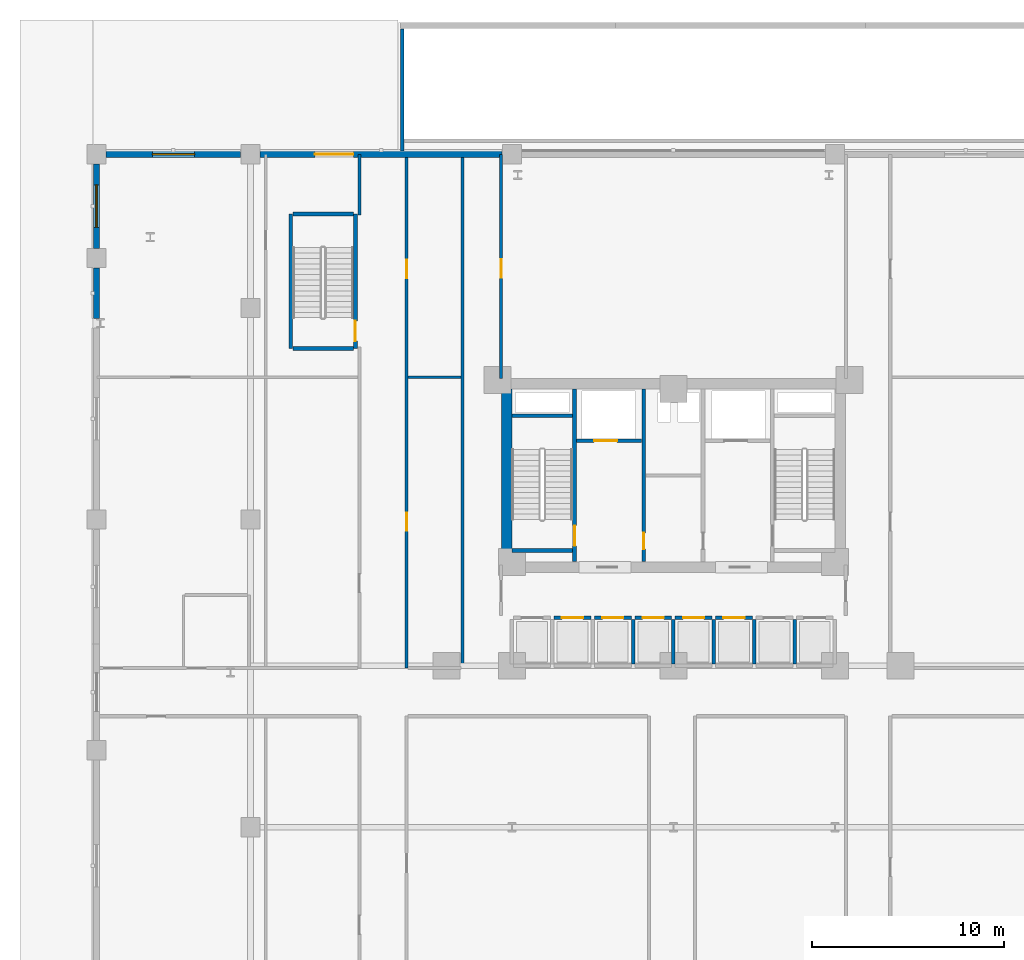
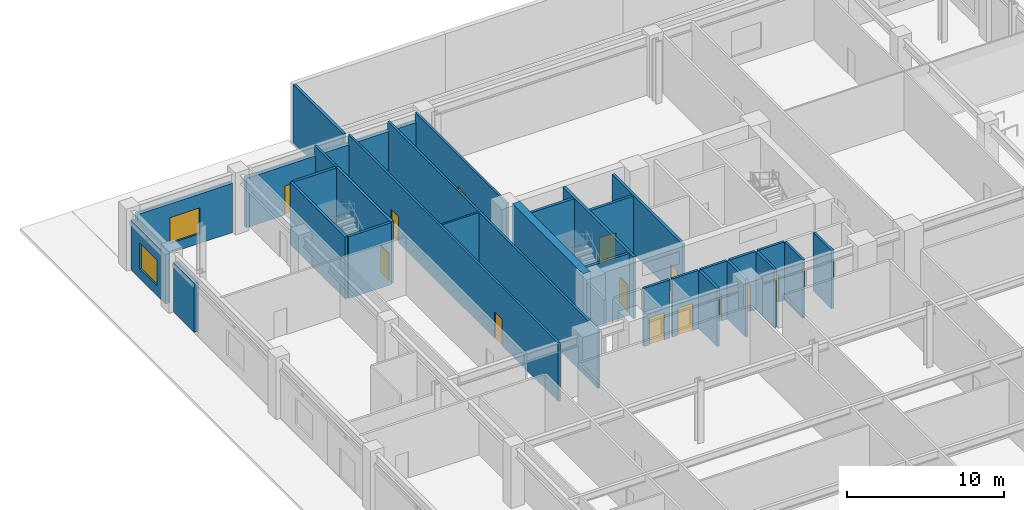
# One storey, part 25 of 40: 30 walls, 13 doors, 2 windows, 15 openings.
"""IFC4 building model written with IfcOpenShell, lengths in metres."""

import ifcopenshell
import ifcopenshell.guid

model = None  # the IFC model being written
_history = None  # IfcOwnerHistory: only IFC2X3 demands one
_inside = {}  # id of a spatial element -> (the spatial element, [elements in it])
_under = {}  # id of a project, library or spatial element -> (it, [spatial elements below it])
_declared = {}  # id of a project -> (the project, [libraries it declares])
_typed = {}  # id of a type object -> (the type object, [elements of that type])
_made_of = {}  # id of a material, layer set ... -> (it, [elements and type objects made of it])


def new_model(schema):
    """Start an empty IFC model of exactly this schema.

    Asked for "IFC4X3", IfcOpenShell would pick the latest addendum, in which some entities
    have other attributes; the version numbers below select the first issue.
    IFC2X3 requires an IfcOwnerHistory on every rooted entity: one is made here for all.
    """
    global model, _history
    if schema == "IFC4X3":
        model = ifcopenshell.file(schema_version=(4, 3, 0, 0))
    else:
        model = ifcopenshell.file(schema=schema)
    _inside.clear()
    _under.clear()
    _declared.clear()
    _typed.clear()
    _made_of.clear()
    _history = None
    if model.schema == "IFC2X3":
        org = make("IfcOrganization", Name="unknown")
        user = make(
            "IfcPersonAndOrganization",
            ThePerson=make("IfcPerson", FamilyName="unknown"),
            TheOrganization=org,
        )
        app = make(
            "IfcApplication",
            ApplicationDeveloper=org,
            Version="unknown",
            ApplicationFullName="unknown",
            ApplicationIdentifier="unknown",
        )
        _history = make(
            "IfcOwnerHistory",
            OwningUser=user,
            OwningApplication=app,
            ChangeAction="ADDED",
            CreationDate=0,
        )
    return model


def make(cls, **values):
    """One entity of the class cls with the attributes given. An attribute that is None is left unset."""
    return model.create_entity(
        cls, **{name: value for name, value in values.items() if value is not None}
    )


def rooted(cls, **values):
    """An entity with a GlobalId (a new one), such as an element, a storey or a relation."""
    return make(cls, GlobalId=ifcopenshell.guid.new(), OwnerHistory=_history, **values)


def si_unit(unit_type, name, prefix=None):
    """IfcSIUnit, for example si_unit("LENGTHUNIT", "METRE", prefix="MILLI")."""
    return make("IfcSIUnit", UnitType=unit_type, Prefix=prefix, Name=name)


def derived_unit(unit_type, elements):
    """IfcDerivedUnit: a product of units, each with its exponent."""
    return make(
        "IfcDerivedUnit",
        Elements=[
            make("IfcDerivedUnitElement", Unit=unit, Exponent=power)
            for unit, power in elements
        ],
        UnitType=unit_type,
    )


def assignment(units):
    """IfcUnitAssignment: the units of a project."""
    return None if units is None else make("IfcUnitAssignment", Units=units)


def point(xyz):
    """IfcCartesianPoint."""
    return None if xyz is None else make("IfcCartesianPoint", Coordinates=xyz)


def direction(xyz):
    """IfcDirection."""
    return None if xyz is None else make("IfcDirection", DirectionRatios=xyz)


def frame(location, z_axis=None, x_axis=None):
    """IfcAxis2Placement3D, a coordinate frame: its origin and axes. An axis left out is left unset."""
    return make(
        "IfcAxis2Placement3D",
        Location=point(location),
        Axis=direction(z_axis),
        RefDirection=direction(x_axis),
    )


def frame_2d(location, x_axis=None):
    """IfcAxis2Placement2D, a coordinate frame in the plane: its origin and x axis."""
    return make(
        "IfcAxis2Placement2D", Location=point(location), RefDirection=direction(x_axis)
    )


def origin():
    """The frame at (0, 0, 0) with its axes left unset."""
    return frame((0.0, 0.0, 0.0))


def place(relative_to, where):
    """IfcLocalPlacement: puts the frame where relative to a parent placement (None: the world)."""
    return make(
        "IfcLocalPlacement", PlacementRelTo=relative_to, RelativePlacement=where
    )


def context(
    kind, dimensions, precision=None, world=None, true_north=None, identifier=None
):
    """IfcGeometricRepresentationContext, for example the 3D "Model" context."""
    return make(
        "IfcGeometricRepresentationContext",
        ContextIdentifier=identifier,
        ContextType=kind,
        CoordinateSpaceDimension=dimensions,
        Precision=precision,
        WorldCoordinateSystem=world,
        TrueNorth=true_north,
    )


def subcontext(parent, identifier, kind, view, scale=None):
    """IfcGeometricRepresentationSubContext, for example "Body" below "Model"."""
    return make(
        "IfcGeometricRepresentationSubContext",
        ContextIdentifier=identifier,
        ContextType=kind,
        ParentContext=parent,
        TargetScale=scale,
        TargetView=view,
    )


def project(units=None, contexts=None):
    """IfcProject with its units and contexts."""
    return rooted(
        "IfcProject",
        Name="project",
        RepresentationContexts=contexts,
        UnitsInContext=assignment(units),
    )


def spatial(cls, under=None, at=None, **own):
    """A site, building, storey or space (cls), placed at a placement, below another one or the project."""
    s = rooted(cls, ObjectPlacement=at, **own)
    if under is not None:
        _under.setdefault(under.id(), (under, []))[1].append(s)
    return s


def profile(cls, at=None, kind="AREA", **sizes):
    """A parametric profile (cls). Its sizes go by their IFC names, for example OverallWidth=200.0."""
    return make(cls, ProfileType=kind, Position=at, **sizes)


def rectangle(**sizes):
    """IfcRectangleProfileDef."""
    return profile("IfcRectangleProfileDef", **sizes)


def extrude(swept, where, along, depth):
    """IfcExtrudedAreaSolid: the profile swept, set in the frame where, extruded along a direction by depth."""
    return make(
        "IfcExtrudedAreaSolid",
        SweptArea=swept,
        Position=where,
        ExtrudedDirection=direction(along),
        Depth=depth,
    )


def shape(context_of_items, identifier, shape_type, items):
    """IfcShapeRepresentation: the items that make up one representation, for example the "Body"."""
    return make(
        "IfcShapeRepresentation",
        ContextOfItems=context_of_items,
        RepresentationIdentifier=identifier,
        RepresentationType=shape_type,
        Items=items,
    )


def material(Name=None, Category=None):
    """IfcMaterial."""
    return make("IfcMaterial", Name=Name, Category=Category)


def layer(
    of_material, thickness, ventilated=None, Name=None, Category=None, Priority=None
):
    """IfcMaterialLayer: one layer of a wall or slab, of a material (None: an air gap)."""
    return make(
        "IfcMaterialLayer",
        Material=of_material,
        LayerThickness=thickness,
        IsVentilated=ventilated,
        Name=Name,
        Category=Category,
        Priority=Priority,
    )


def layer_set(layers, Name=None):
    """IfcMaterialLayerSet."""
    return make("IfcMaterialLayerSet", MaterialLayers=layers, LayerSetName=Name)


def made_of(thing, what):
    """Note that an element or type object is made of a material, layer set ...; save() writes the relation."""
    if what is not None:
        _made_of.setdefault(what.id(), (what, []))[1].append(thing)
    return thing


def type_object(cls, material=None, **own):
    """A type object (cls), such as IfcWallType, which elements share."""
    return made_of(rooted(cls, **own), material)


def element(
    cls,
    number,
    at=None,
    inside=None,
    cuts=None,
    type_object=None,
    material=None,
    context=None,
    identifier="Body",
    shape_type=None,
    held_by="IfcProductDefinitionShape",
    body=None,
    shapes=None,
    **own,
):
    """One element of the class cls, such as IfcWall. Its Tag is "e" and its number.

    at: its placement. inside: the storey or other place that contains it. cuts: it is an
    opening in that element (IfcRelVoidsElement). A single representation is given by context,
    identifier, shape_type and body (its items); several are given by shapes. held_by: the class
    of the entity that holds the representations. save() writes the other relations.
    """
    e = rooted(cls, Tag="e%d" % number, ObjectPlacement=at, **own)
    if body is not None:
        shapes = [shape(context, identifier, shape_type, body)]
    if shapes is not None:
        e.Representation = make(held_by, Representations=shapes)
    if inside is not None:
        _inside.setdefault(inside.id(), (inside, []))[1].append(e)
    if cuts is not None:
        rooted(
            "IfcRelVoidsElement", RelatingBuildingElement=cuts, RelatedOpeningElement=e
        )
    if type_object is not None:
        _typed.setdefault(type_object.id(), (type_object, []))[1].append(e)
    return made_of(e, material)


def fill(opening, filler):
    """IfcRelFillsElement: the door or window that sits in an opening."""
    return rooted(
        "IfcRelFillsElement",
        RelatingOpeningElement=opening,
        RelatedBuildingElement=filler,
    )


def aggregate(whole, parts):
    """IfcRelAggregates: a whole, such as a stair, and the parts it consists of."""
    return rooted("IfcRelAggregates", RelatingObject=whole, RelatedObjects=parts)


def save(model, path):
    """Write the relations noted so far, then the file.

    IfcRelAggregates (storeys below a building ...), IfcRelContainedInSpatialStructure (elements
    in a storey), IfcRelDefinesByType, IfcRelAssociatesMaterial and IfcRelDeclares: one each for
    every whole, place, type object, material and project.
    """
    for whole, parts in _under.values():
        aggregate(whole, parts)
    for where, things in _inside.values():
        rooted(
            "IfcRelContainedInSpatialStructure",
            RelatedElements=things,
            RelatingStructure=where,
        )
    for kind, things in _typed.values():
        rooted("IfcRelDefinesByType", RelatedObjects=things, RelatingType=kind)
    for what, things in _made_of.values():
        rooted("IfcRelAssociatesMaterial", RelatedObjects=things, RelatingMaterial=what)
    for by, libraries in _declared.values():
        rooted("IfcRelDeclares", RelatingContext=by, RelatedDefinitions=libraries)
    model.write(path)


model = new_model("IFC4")

# Units and contexts
model_context = context("Model", 3, precision=1e-05, world=origin(), true_north=direction((0.0, 1.0)))
body_context = subcontext(model_context, "Body", "Model", "MODEL_VIEW")
ifc_project = project(units=[si_unit("LENGTHUNIT", "METRE"), si_unit("AREAUNIT", "SQUARE_METRE"), si_unit("VOLUMEUNIT", "CUBIC_METRE"), si_unit("PLANEANGLEUNIT", "RADIAN"), si_unit("MASSUNIT", "GRAM", prefix="KILO"), derived_unit("THERMALTRANSMITTANCEUNIT", [(si_unit("POWERUNIT", "WATT"), 1), (si_unit("LENGTHUNIT", "METRE"), -2), (si_unit("THERMODYNAMICTEMPERATUREUNIT", "KELVIN"), -1)])], contexts=[model_context])

# Site, building, storey
site_placement = place(None, origin())
site = spatial("IfcSite", under=ifc_project, at=site_placement, CompositionType="ELEMENT")
building_placement = place(site_placement, origin())
building = spatial("IfcBuilding", under=site, at=building_placement, Name="Korsvarv Bourse and Concert Hall", CompositionType="ELEMENT")
storey_placement = place(building_placement, origin())
storey = spatial("IfcBuildingStorey", under=building, at=storey_placement, Name="L00", CompositionType="ELEMENT", Elevation=0.0)

# Wall, opening, door
ifc_material_1 = material(Name="Concrete C50/60", Category="concrete")
ifc_layer_1 = layer(ifc_material_1, 0.3798828125)
ifc_layer_set_1 = layer_set([ifc_layer_1], Name="Concrete C50/60")
wall_type_1 = type_object("IfcWallType", Name="WL-CORE-380", PredefinedType="SHEAR", material=ifc_layer_set_1)
wall_1_placement = place(storey_placement, frame((30.860107421875, 37.81005859375, 0.0), z_axis=(0.0, 0.0, 1.0), x_axis=(0.0, 1.0, 0.0)))
wall_1 = element("IfcWall", 1, at=wall_1_placement, inside=storey, type_object=wall_type_1, Name="L00 stair shaft structural wall W-L00-ST1-E", PredefinedType="SHEAR", context=body_context, shape_type="SweptSolid", body=[
    extrude(rectangle(XDim=8.97998046875, YDim=0.199951171875, at=frame_2d((4.489990234375, 0.0))), origin(), (0.0, 0.0, 1.0), 4.800048828125),
])
opening_1_placement = place(wall_1_placement, frame((0.820068359375, 0.0, 0.0)))
opening_1 = element("IfcOpeningElement", 2, at=opening_1_placement, cuts=wall_1, Name="Opening D-01", PredefinedType="OPENING", context=body_context, shape_type="SweptSolid", body=[
    extrude(rectangle(XDim=1.050048828125, YDim=2.10009765625, at=frame_2d((0.52490234375, 1.050048828125))), frame((0.0, 0.10986328125, 0.0), z_axis=(0.0, -1.0, 0.0), x_axis=(1.0, 0.0, 0.0)), (0.0, 0.0, 1.0), 0.219970703125),
])
ifc_material_2 = material(Name="Steel S355 fire door", Category="steel")
door_type_1 = type_object("IfcDoorType", Name="DR-FD60", OperationType="NOTDEFINED", PredefinedType="DOOR", material=ifc_material_2)
door_1_placement = place(opening_1_placement, origin())
door_1 = element("IfcDoor", 3, at=door_1_placement, inside=storey, type_object=door_type_1, Name="L00 interior door DR-L00-ST1", OperationType="SINGLE_SWING_LEFT", OverallHeight=2.10009765625, OverallWidth=1.050048828125, PredefinedType="DOOR", context=body_context, shape_type="SweptSolid", body=[
    extrude(rectangle(XDim=1.050048828125, YDim=2.10009765625, at=frame_2d((0.52490234375, 1.050048828125))), frame((0.0, 0.02490234375, 0.0), z_axis=(0.0, -1.0, 0.0), x_axis=(1.0, 0.0, 0.0)), (0.0, 0.0, 1.0), 0.050048828125),
])
fill(opening_1, door_1)

# Walls
for number, where, z_axis, x_axis, name in (
    (4, (27.610107421875, 45.39990234375, 0.0), (0.0, 0.0, 1.0), (1.0, 0.0, 0.0), "L00 stair shaft structural wall W-L00-ST1-N"),
    (5, (27.610107421875, 38.39990234375, 0.0), (0.0, 0.0, 1.0), (1.0, 0.0, 0.0), "L00 stair shaft structural wall W-L00-ST1-S"),
):
    element("IfcWall", number, at=place(storey_placement, frame(where, z_axis=z_axis, x_axis=x_axis)), inside=storey, type_object=wall_type_1, Name=name, PredefinedType="SHEAR", context=body_context, shape_type="SweptSolid", body=[
        extrude(rectangle(XDim=3.139892578125, YDim=0.199951171875, at=frame_2d((1.56982421875, 0.0))), origin(), (0.0, 0.0, 1.0), 4.800048828125),
    ])

# Wall, opening, door
wall_2_placement = place(storey_placement, frame((19.4599609375, 48.89990234375, 0.0), z_axis=(0.0, 0.0, 1.0), x_axis=(0.0, 1.0, 0.0)))
wall_2 = element("IfcWall", 6, at=wall_2_placement, inside=storey, type_object=wall_type_1, Name="L00 stair shaft structural wall W-L00-STPD-E", PredefinedType="SHEAR", context=body_context, shape_type="SweptSolid", body=[
    extrude(rectangle(XDim=7.0, YDim=0.199951171875, at=frame_2d((3.5, 0.0))), origin(), (0.0, 0.0, 1.0), 4.800048828125),
])
opening_2_placement = place(wall_2_placement, frame((0.3798828125, 0.0, 0.0)))
opening_2 = element("IfcOpeningElement", 7, at=opening_2_placement, cuts=wall_2, Name="Opening D-01", PredefinedType="OPENING", context=body_context, shape_type="SweptSolid", body=[
    extrude(rectangle(XDim=1.050048828125, YDim=2.10009765625, at=frame_2d((0.52490234375, 1.050048828125))), frame((0.0, 0.10986328125, 0.0), z_axis=(0.0, -1.0, 0.0), x_axis=(1.0, 0.0, 0.0)), (0.0, 0.0, 1.0), 0.219970703125),
])
door_2_placement = place(opening_2_placement, origin())
door_2 = element("IfcDoor", 8, at=door_2_placement, inside=storey, type_object=door_type_1, Name="L00 interior door DR-L00-STPD1", OperationType="SINGLE_SWING_RIGHT", OverallHeight=2.10009765625, OverallWidth=1.050048828125, PredefinedType="DOOR", context=body_context, shape_type="SweptSolid", body=[
    extrude(rectangle(XDim=1.050048828125, YDim=2.10009765625, at=frame_2d((0.52490234375, 1.050048828125))), frame((0.0, 0.02490234375, 0.0), z_axis=(0.0, -1.0, 0.0), x_axis=(1.0, 0.0, 0.0)), (0.0, 0.0, 1.0), 0.050048828125),
])
fill(opening_2, door_2)

# Walls
wall_3_placement = place(storey_placement, frame((16.10009765625, 48.89990234375, 0.0), z_axis=(0.0, 0.0, 1.0), x_axis=(0.0, 1.0, 0.0)))
element("IfcWall", 9, at=wall_3_placement, inside=storey, type_object=wall_type_1, Name="L00 stair shaft structural wall W-L00-STPD-W", PredefinedType="SHEAR", context=body_context, shape_type="SweptSolid", body=[
    extrude(rectangle(XDim=7.0, YDim=0.199951171875, at=frame_2d((3.5, 0.0))), origin(), (0.0, 0.0, 1.0), 4.800048828125),
])
for number, where, z_axis, x_axis, name in (
    (10, (16.2099609375, 55.89990234375, 0.0), (0.0, 0.0, 1.0), (1.0, 0.0, 0.0), "L00 stair shaft structural wall W-L00-STPD-N"),
    (11, (16.2099609375, 48.89990234375, 0.0), (0.0, 0.0, 1.0), (1.0, 0.0, 0.0), "L00 stair shaft structural wall W-L00-STPD-S"),
):
    element("IfcWall", number, at=place(storey_placement, frame(where, z_axis=z_axis, x_axis=x_axis)), inside=storey, type_object=wall_type_1, Name=name, PredefinedType="SHEAR", context=body_context, shape_type="SweptSolid", body=[
        extrude(rectangle(XDim=3.14013671875, YDim=0.199951171875, at=frame_2d((1.570068359375, 0.0))), origin(), (0.0, 0.0, 1.0), 4.800048828125),
    ])
ifc_material_3 = material(Name="Concrete C60/75", Category="concrete")
ifc_layer_2 = layer(ifc_material_3, 0.550048828125)
ifc_layer_set_2 = layer_set([ifc_layer_2], Name="Concrete C60/75")
wall_type_2 = type_object("IfcWallType", Name="WL-CORE-550", PredefinedType="SHEAR", material=ifc_layer_set_2)
wall_4_placement = place(storey_placement, frame((27.324951171875, 37.800048828125, 0.0), z_axis=(0.0, 0.0, 1.0), x_axis=(0.0, 1.0, 0.0)))
element("IfcWall", 12, at=wall_4_placement, inside=storey, type_object=wall_type_2, Name="L00 West Core Shear Wall", PredefinedType="SHEAR", context=body_context, shape_type="SweptSolid", body=[
    extrude(rectangle(XDim=9.0, YDim=0.550048828125, at=frame_2d((4.5, 0.0))), origin(), (0.0, 0.0, 1.0), 4.800048828125),
])

# Wall, opening, window
ifc_material_4 = material(Name="Precast concrete C45/55 with granite and terracotta", Category="concrete")
ifc_layer_3 = layer(ifc_material_4, 0.320068359375)
ifc_layer_set_3 = layer_set([ifc_layer_3], Name="Precast concrete C45/55 with granite and terracotta")
wall_type_3 = type_object("IfcWallType", Name="WL-EXT-POD", PredefinedType="SOLIDWALL", material=ifc_layer_set_3)
wall_5_placement = place(storey_placement, frame((6.5048828125, 59.0, 0.0), z_axis=(0.0, 0.0, 1.0), x_axis=(1.0, 0.0, 0.0)))
wall_5 = element("IfcWall", 13, at=wall_5_placement, inside=storey, type_object=wall_type_3, Name="L00 terracotta exterior wall EW-L00-N1", PredefinedType="SOLIDWALL", context=body_context, shape_type="SweptSolid", body=[
    extrude(rectangle(XDim=6.990234375, YDim=0.320068359375, at=frame_2d((3.4951171875, 0.0))), origin(), (0.0, 0.0, 1.0), 3.820068359375),
])
opening_3_placement = place(wall_5_placement, frame((2.39501953125, 0.0, 0.75)))
opening_3 = element("IfcOpeningElement", 14, at=opening_3_placement, cuts=wall_5, Name="Opening W-03", PredefinedType="OPENING", context=body_context, shape_type="SweptSolid", body=[
    extrude(rectangle(XDim=2.199951171875, YDim=2.0, at=frame_2d((1.10009765625, 1.0))), frame((0.0, 0.169921875, 0.0), z_axis=(0.0, -1.0, 0.0), x_axis=(1.0, 0.0, 0.0)), (0.0, 0.0, 1.0), 0.340087890625),
])
ifc_material_5 = material(Name="Thermally broken aluminium frame with triple low-E glass", Category="glass")
window_type = type_object("IfcWindowType", Name="WIN-POD1", PartitioningType="SINGLE_PANEL", PredefinedType="WINDOW", material=ifc_material_5)
window_1_placement = place(opening_3_placement, origin())
window_1 = element("IfcWindow", 15, at=window_1_placement, inside=storey, type_object=window_type, Name="L00 punched facade window W-03", OverallHeight=2.0, OverallWidth=2.199951171875, PartitioningType="SINGLE_PANEL", PredefinedType="WINDOW", context=body_context, shape_type="SweptSolid", body=[
    extrude(rectangle(XDim=2.199951171875, YDim=2.0, at=frame_2d((1.10009765625, 1.0))), frame((0.0, 0.030029296875, 0.0), z_axis=(0.0, -1.0, 0.0), x_axis=(1.0, 0.0, 0.0)), (0.0, 0.0, 1.0), 0.06005859375),
])
fill(opening_3, window_1)

# Wall, opening, door
wall_6_placement = place(storey_placement, frame((14.5048828125, 59.0, 0.0), z_axis=(0.0, 0.0, 1.0), x_axis=(1.0, 0.0, 0.0)))
wall_6 = element("IfcWall", 16, at=wall_6_placement, inside=storey, type_object=wall_type_3, Name="L00 terracotta exterior wall EW-L00-N2", PredefinedType="SOLIDWALL", context=body_context, shape_type="SweptSolid", body=[
    extrude(rectangle(XDim=12.590087890625, YDim=0.320068359375, at=frame_2d((6.294921875, 0.0))), origin(), (0.0, 0.0, 1.0), 3.820068359375),
])
opening_4_placement = place(wall_6_placement, frame((2.847412109375, 0.0, 0.0)))
opening_4 = element("IfcOpeningElement", 17, at=opening_4_placement, cuts=wall_6, Name="Opening ED-01", PredefinedType="OPENING", context=body_context, shape_type="SweptSolid", body=[
    extrude(rectangle(XDim=2.0, YDim=2.25, at=frame_2d((1.0, 1.125))), frame((0.0, 0.169921875, 0.0), z_axis=(0.0, -1.0, 0.0), x_axis=(1.0, 0.0, 0.0)), (0.0, 0.0, 1.0), 0.340087890625),
])
ifc_material_6 = material(Name="Thermally broken anodised aluminium and laminated safety glass", Category="aluminium")
door_type_2 = type_object("IfcDoorType", Name="DR-EXT-EXIT", OperationType="DOUBLE_DOOR_SINGLE_SWING", PredefinedType="DOOR", material=ifc_material_6)
door_3_placement = place(opening_4_placement, origin())
door_3 = element("IfcDoor", 18, at=door_3_placement, inside=storey, type_object=door_type_2, Name="L00 North Concourse Final Exit Door N1", OperationType="DOUBLE_DOOR_SINGLE_SWING", OverallHeight=2.25, OverallWidth=2.0, PredefinedType="DOOR", context=body_context, shape_type="SweptSolid", body=[
    extrude(rectangle(XDim=2.0, YDim=2.25, at=frame_2d((1.0, 1.125))), frame((0.0, 0.02490234375, 0.0), z_axis=(0.0, -1.0, 0.0), x_axis=(1.0, 0.0, 0.0)), (0.0, 0.0, 1.0), 0.050048828125),
])
fill(opening_4, door_3)

# Wall
wall_7_placement = place(storey_placement, frame((6.0, 50.459228515625, 0.0), z_axis=(0.0, 0.0, 1.0), x_axis=(0.0, 1.0, 0.0)))
element("IfcWall", 19, at=wall_7_placement, inside=storey, type_object=wall_type_3, Name="L00 terracotta exterior wall EW-L00-W5-2", PredefinedType="SOLIDWALL", context=body_context, shape_type="SweptSolid", body=[
    extrude(rectangle(XDim=2.6357421875, YDim=0.320068359375, at=frame_2d((1.31787109375, 0.0))), origin(), (0.0, 0.0, 1.0), 3.820068359375),
])

# Wall, opening, window
wall_8_placement = place(storey_placement, frame((6.0, 54.10498046875, 0.0), z_axis=(0.0, 0.0, 1.0), x_axis=(0.0, 1.0, 0.0)))
wall_8 = element("IfcWall", 20, at=wall_8_placement, inside=storey, type_object=wall_type_3, Name="L00 terracotta exterior wall EW-L00-W6", PredefinedType="SOLIDWALL", context=body_context, shape_type="SweptSolid", body=[
    extrude(rectangle(XDim=4.39013671875, YDim=0.320068359375, at=frame_2d((2.195068359375, 0.0))), origin(), (0.0, 0.0, 1.0), 3.820068359375),
])
opening_5_placement = place(wall_8_placement, frame((1.094970703125, 0.0, 0.75)))
opening_5 = element("IfcOpeningElement", 21, at=opening_5_placement, cuts=wall_8, Name="Opening W-03", PredefinedType="OPENING", context=body_context, shape_type="SweptSolid", body=[
    extrude(rectangle(XDim=2.199951171875, YDim=2.0, at=frame_2d((1.10009765625, 1.0))), frame((0.0, 0.169921875, 0.0), z_axis=(0.0, -1.0, 0.0), x_axis=(1.0, 0.0, 0.0)), (0.0, 0.0, 1.0), 0.340087890625),
])
window_2_placement = place(opening_5_placement, origin())
window_2 = element("IfcWindow", 22, at=window_2_placement, inside=storey, type_object=window_type, Name="L00 punched facade window W-03", OverallHeight=2.0, OverallWidth=2.199951171875, PartitioningType="SINGLE_PANEL", PredefinedType="WINDOW", context=body_context, shape_type="SweptSolid", body=[
    extrude(rectangle(XDim=2.199951171875, YDim=2.0, at=frame_2d((1.10009765625, 1.0))), frame((0.0, 0.030029296875, 0.0), z_axis=(0.0, -1.0, 0.0), x_axis=(1.0, 0.0, 0.0)), (0.0, 0.0, 1.0), 0.06005859375),
])
fill(opening_5, window_2)

# Wall, opening, door
ifc_material_7 = material(Name="Reinforced concrete blockwork C35/45 fire wall", Category="concrete")
ifc_layer_4 = layer(ifc_material_7, 0.199951171875)
ifc_layer_set_4 = layer_set([ifc_layer_4], Name="Reinforced concrete blockwork C35/45 fire wall")
wall_type_4 = type_object("IfcWallType", Name="WL-INT-EI120", PredefinedType="PARTITIONING", material=ifc_layer_set_4)
wall_9_placement = place(storey_placement, frame((30.969970703125, 44.10009765625, 0.0), z_axis=(0.0, 0.0, 1.0), x_axis=(1.0, 0.0, 0.0)))
wall_9 = element("IfcWall", 23, at=wall_9_placement, inside=storey, type_object=wall_type_4, Name="L00 interior partition wall W-L00-FF1-S", PredefinedType="PARTITIONING", context=body_context, shape_type="SweptSolid", body=[
    extrude(rectangle(XDim=3.380126953125, YDim=0.199951171875, at=frame_2d((1.68994140625, 0.0))), origin(), (0.0, 0.0, 1.0), 4.52001953125),
])
opening_6_placement = place(wall_9_placement, frame((0.89990234375, 0.0, 0.0)))
opening_6 = element("IfcOpeningElement", 24, at=opening_6_placement, cuts=wall_9, Name="Opening LD-1", PredefinedType="OPENING", context=body_context, shape_type="SweptSolid", body=[
    extrude(rectangle(XDim=1.199951171875, YDim=2.10009765625, at=frame_2d((0.60009765625, 1.050048828125))), frame((0.0, 0.10986328125, 0.0), z_axis=(0.0, -1.0, 0.0), x_axis=(1.0, 0.0, 0.0)), (0.0, 0.0, 1.0), 0.219970703125),
])
ifc_material_8 = material(Name="Stainless Steel S355 firefighting lift landing door", Category="steel")
door_type_3 = type_object("IfcDoorType", Name="DR-LIFT-FF", OperationType="DOUBLE_DOOR_SLIDING", PredefinedType="DOOR", material=ifc_material_8)
door_4_placement = place(opening_6_placement, origin())
door_4 = element("IfcDoor", 25, at=door_4_placement, inside=storey, type_object=door_type_3, Name="L00 lift sliding landing door LD-L00-FF1", OperationType="DOUBLE_DOOR_SLIDING", OverallHeight=2.10009765625, OverallWidth=1.199951171875, PredefinedType="DOOR", context=body_context, shape_type="SweptSolid", body=[
    extrude(rectangle(XDim=1.199951171875, YDim=2.10009765625, at=frame_2d((0.60009765625, 1.050048828125))), frame((0.0, 0.02490234375, 0.0), z_axis=(0.0, -1.0, 0.0), x_axis=(1.0, 0.0, 0.0)), (0.0, 0.0, 1.0), 0.050048828125),
])
fill(opening_6, door_4)

wall_10_placement = place(storey_placement, frame((34.4599609375, 37.81005859375, 0.0), z_axis=(0.0, 0.0, 1.0), x_axis=(0.0, 1.0, 0.0)))
wall_10 = element("IfcWall", 26, at=wall_10_placement, inside=storey, type_object=wall_type_4, Name="L00 interior partition wall W-L00-CSB-W", PredefinedType="PARTITIONING", context=body_context, shape_type="SweptSolid", body=[
    extrude(rectangle(XDim=8.97998046875, YDim=0.199951171875, at=frame_2d((4.489990234375, 0.0))), origin(), (0.0, 0.0, 1.0), 4.52001953125),
])
opening_7_placement = place(wall_10_placement, frame((0.64990234375, 0.0, 0.0)))
opening_7 = element("IfcOpeningElement", 27, at=opening_7_placement, cuts=wall_10, Name="Opening D-05", PredefinedType="OPENING", context=body_context, shape_type="SweptSolid", body=[
    extrude(rectangle(XDim=0.85009765625, YDim=2.050048828125, at=frame_2d((0.425048828125, 1.02490234375))), frame((0.0, 0.10986328125, 0.0), z_axis=(0.0, -1.0, 0.0), x_axis=(1.0, 0.0, 0.0)), (0.0, 0.0, 1.0), 0.219970703125),
])
door_type_4 = type_object("IfcDoorType", Name="DR-FD60-850X2050", OperationType="NOTDEFINED", PredefinedType="DOOR", material=ifc_material_2)
door_5_placement = place(opening_7_placement, frame((0.85009765625, 0.0, 0.0), z_axis=(0.0, 0.0, 1.0), x_axis=(-1.0, 0.0, 0.0)))
door_5 = element("IfcDoor", 28, at=door_5_placement, inside=storey, type_object=door_type_4, Name="L00 interior door DR-L00-CSB1", OperationType="SINGLE_SWING_LEFT", OverallHeight=2.050048828125, OverallWidth=0.85009765625, PredefinedType="DOOR", context=body_context, shape_type="SweptSolid", body=[
    extrude(rectangle(XDim=0.85009765625, YDim=2.050048828125, at=frame_2d((0.425048828125, 1.02490234375))), frame((0.0, 0.02490234375, 0.0), z_axis=(0.0, -1.0, 0.0), x_axis=(1.0, 0.0, 0.0)), (0.0, 0.0, 1.0), 0.050048828125),
])
fill(opening_7, door_5)

# Wall
wall_11_placement = place(storey_placement, frame((21.89990234375, 59.179931640625, 0.0), z_axis=(0.0, 0.0, 1.0), x_axis=(0.0, 1.0, 0.0)))
element("IfcWall", 29, at=wall_11_placement, inside=storey, type_object=wall_type_4, Name="L00 interior partition wall W-L00-RMP-W", PredefinedType="PARTITIONING", context=body_context, shape_type="SweptSolid", body=[
    extrude(rectangle(XDim=6.340087890625, YDim=0.199951171875, at=frame_2d((3.169921875, 0.0))), origin(), (0.0, 0.0, 1.0), 4.52001953125),
])

# Wall, openings, doors
ifc_material_9 = material(Name="Double-stud fire-rated acoustic partition", Category="gypsum")
ifc_layer_5 = layer(ifc_material_9, 0.159912109375)
ifc_layer_set_5 = layer_set([ifc_layer_5], Name="Double-stud fire-rated acoustic partition")
wall_type_5 = type_object("IfcWallType", Name="WL-INT-EI60", PredefinedType="PARTITIONING", material=ifc_layer_set_5)
wall_12_placement = place(storey_placement, frame((22.125, 32.27001953125, 0.0), z_axis=(0.0, 0.0, 1.0), x_axis=(0.0, 1.0, 0.0)))
wall_12 = element("IfcWall", 30, at=wall_12_placement, inside=storey, type_object=wall_type_5, Name="L00 interior partition wall W-L00-PCOR-08", PredefinedType="PARTITIONING", context=body_context, shape_type="SweptSolid", body=[
    extrude(rectangle(XDim=26.7099609375, YDim=0.159912109375, at=frame_2d((13.35498046875, 0.0))), origin(), (0.0, 0.0, 1.0), 4.52001953125),
])
opening_8_placement = place(wall_12_placement, frame((7.14501953125, 0.0, 0.0)))
opening_8 = element("IfcOpeningElement", 31, at=opening_8_placement, cuts=wall_12, Name="Opening D-02", PredefinedType="OPENING", context=body_context, shape_type="SweptSolid", body=[
    extrude(rectangle(XDim=0.949951171875, YDim=2.050048828125, at=frame_2d((0.47509765625, 1.02490234375))), frame((0.0, 0.08984375, 0.0), z_axis=(0.0, -1.0, 0.0), x_axis=(1.0, 0.0, 0.0)), (0.0, 0.0, 1.0), 0.179931640625),
])
opening_9_placement = place(wall_12_placement, frame((20.28271484375, 0.0, 0.0)))
opening_9 = element("IfcOpeningElement", 32, at=opening_9_placement, cuts=wall_12, Name="Opening D-02", PredefinedType="OPENING", context=body_context, shape_type="SweptSolid", body=[
    extrude(rectangle(XDim=0.949951171875, YDim=2.050048828125, at=frame_2d((0.47509765625, 1.02490234375))), frame((0.0, 0.08984375, 0.0), z_axis=(0.0, -1.0, 0.0), x_axis=(1.0, 0.0, 0.0)), (0.0, 0.0, 1.0), 0.179931640625),
])
ifc_material_10 = material(Name="Timber and steel acoustic fire door", Category="wood")
door_type_5 = type_object("IfcDoorType", Name="DR-FD30", OperationType="NOTDEFINED", PredefinedType="DOOR", material=ifc_material_10)
door_6_placement = place(opening_8_placement, origin())
door_6 = element("IfcDoor", 33, at=door_6_placement, inside=storey, type_object=door_type_5, Name="L00 interior door DR-L00-PCOR-RM1414", OperationType="SINGLE_SWING_LEFT", OverallHeight=2.050048828125, OverallWidth=0.949951171875, PredefinedType="DOOR", context=body_context, shape_type="SweptSolid", body=[
    extrude(rectangle(XDim=0.949951171875, YDim=2.050048828125, at=frame_2d((0.47509765625, 1.02490234375))), frame((0.0, 0.02490234375, 0.0), z_axis=(0.0, -1.0, 0.0), x_axis=(1.0, 0.0, 0.0)), (0.0, 0.0, 1.0), 0.050048828125),
])
fill(opening_8, door_6)
door_7_placement = place(opening_9_placement, origin())
door_7 = element("IfcDoor", 34, at=door_7_placement, inside=storey, type_object=door_type_5, Name="L00 interior door DR-L00-PCOR-RM1515", OperationType="SINGLE_SWING_RIGHT", OverallHeight=2.050048828125, OverallWidth=0.949951171875, PredefinedType="DOOR", context=body_context, shape_type="SweptSolid", body=[
    extrude(rectangle(XDim=0.949951171875, YDim=2.050048828125, at=frame_2d((0.47509765625, 1.02490234375))), frame((0.0, 0.02490234375, 0.0), z_axis=(0.0, -1.0, 0.0), x_axis=(1.0, 0.0, 0.0)), (0.0, 0.0, 1.0), 0.050048828125),
])
fill(opening_9, door_7)

# Wall
wall_13_placement = place(storey_placement, frame((25.02490234375, 32.27001953125, 0.0), z_axis=(0.0, 0.0, 1.0), x_axis=(0.0, 1.0, 0.0)))
element("IfcWall", 35, at=wall_13_placement, inside=storey, type_object=wall_type_5, Name="L00 interior partition wall W-L00-PCOR-09", PredefinedType="PARTITIONING", context=body_context, shape_type="SweptSolid", body=[
    extrude(rectangle(XDim=26.7099609375, YDim=0.159912109375, at=frame_2d((13.35498046875, 0.0))), origin(), (0.0, 0.0, 1.0), 4.52001953125),
])

# Wall, opening, door
wall_14_placement = place(storey_placement, frame((27.034912109375, 47.340087890625, 0.0), z_axis=(0.0, 0.0, 1.0), x_axis=(0.0, 1.0, 0.0)))
wall_14 = element("IfcWall", 36, at=wall_14_placement, inside=storey, type_object=wall_type_5, Name="L00 interior partition wall W-L00-PCOR-16", PredefinedType="PARTITIONING", context=body_context, shape_type="SweptSolid", body=[
    extrude(rectangle(XDim=11.639892578125, YDim=0.159912109375, at=frame_2d((5.81982421875, 0.0))), origin(), (0.0, 0.0, 1.0), 4.52001953125),
])
opening_10_placement = place(wall_14_placement, frame((5.238037109375, 0.0, 0.0)))
opening_10 = element("IfcOpeningElement", 37, at=opening_10_placement, cuts=wall_14, Name="Opening D-02", PredefinedType="OPENING", context=body_context, shape_type="SweptSolid", body=[
    extrude(rectangle(XDim=0.949951171875, YDim=2.050048828125, at=frame_2d((0.47509765625, 1.02490234375))), frame((0.0, 0.08984375, 0.0), z_axis=(0.0, -1.0, 0.0), x_axis=(1.0, 0.0, 0.0)), (0.0, 0.0, 1.0), 0.179931640625),
])
door_8_placement = place(opening_10_placement, origin())
door_8 = element("IfcDoor", 38, at=door_8_placement, inside=storey, type_object=door_type_5, Name="L00 interior door DR-L00-PCOR-NLOB11", OperationType="SINGLE_SWING_LEFT", OverallHeight=2.050048828125, OverallWidth=0.949951171875, PredefinedType="DOOR", context=body_context, shape_type="SweptSolid", body=[
    extrude(rectangle(XDim=0.949951171875, YDim=2.050048828125, at=frame_2d((0.47509765625, 1.02490234375))), frame((0.0, 0.02490234375, 0.0), z_axis=(0.0, -1.0, 0.0), x_axis=(1.0, 0.0, 0.0)), (0.0, 0.0, 1.0), 0.050048828125),
])
fill(opening_10, door_8)

# Wall
wall_15_placement = place(storey_placement, frame((19.6650390625, 55.840087890625, 0.0), z_axis=(0.0, 0.0, 1.0), x_axis=(0.0, 1.0, 0.0)))
element("IfcWall", 39, at=wall_15_placement, inside=storey, type_object=wall_type_5, Name="L00 interior partition wall W-L00-PCOR-19", PredefinedType="PARTITIONING", context=body_context, shape_type="SweptSolid", body=[
    extrude(rectangle(XDim=3.139892578125, YDim=0.159912109375, at=frame_2d((1.56982421875, 0.0))), origin(), (0.0, 0.0, 1.0), 4.52001953125),
])

# Wall, opening, door
ifc_material_11 = material(Name="Gypsum-clad autoclaved concrete shaft wall C30/37", Category="concrete")
ifc_layer_6 = layer(ifc_material_11, 0.179931640625)
ifc_layer_set_6 = layer_set([ifc_layer_6], Name="Gypsum-clad autoclaved concrete shaft wall C30/37")
wall_type_6 = type_object("IfcWallType", Name="WL-INT-EI90", PredefinedType="PARTITIONING", material=ifc_layer_set_6)
wall_16_placement = place(storey_placement, frame((29.7900390625, 34.89990234375, 0.0), z_axis=(0.0, 0.0, 1.0), x_axis=(1.0, 0.0, 0.0)))
wall_16 = element("IfcWall", 40, at=wall_16_placement, inside=storey, type_object=wall_type_6, Name="L00 interior partition wall W-L00-SHFN-PL2", PredefinedType="PARTITIONING", context=body_context, shape_type="SweptSolid", body=[
    extrude(rectangle(XDim=1.919921875, YDim=0.179931640625, at=frame_2d((0.9599609375, 0.0))), origin(), (0.0, 0.0, 1.0), 4.52001953125),
])
opening_11_placement = place(wall_16_placement, frame((0.409912109375, 0.0, 0.0)))
opening_11 = element("IfcOpeningElement", 41, at=opening_11_placement, cuts=wall_16, Name="Opening LD-2", PredefinedType="OPENING", context=body_context, shape_type="SweptSolid", body=[
    extrude(rectangle(XDim=1.10009765625, YDim=2.10009765625, at=frame_2d((0.550048828125, 1.050048828125))), frame((0.0, 0.10009765625, 0.0), z_axis=(0.0, -1.0, 0.0), x_axis=(1.0, 0.0, 0.0)), (0.0, 0.0, 1.0), 0.199951171875),
])
ifc_material_12 = material(Name="Brushed stainless Steel S355 lift landing door", Category="steel")
door_type_6 = type_object("IfcDoorType", Name="DR-LIFT-P", OperationType="DOUBLE_DOOR_SLIDING", PredefinedType="DOOR", material=ifc_material_12)
door_9_placement = place(opening_11_placement, origin())
door_9 = element("IfcDoor", 42, at=door_9_placement, inside=storey, type_object=door_type_6, Name="L00 lift sliding landing door LD-L00-PL2", OperationType="DOUBLE_DOOR_SLIDING", OverallHeight=2.10009765625, OverallWidth=1.10009765625, PredefinedType="DOOR", context=body_context, shape_type="SweptSolid", body=[
    extrude(rectangle(XDim=1.10009765625, YDim=2.10009765625, at=frame_2d((0.550048828125, 1.050048828125))), frame((0.0, 0.02490234375, 0.0), z_axis=(0.0, -1.0, 0.0), x_axis=(1.0, 0.0, 0.0)), (0.0, 0.0, 1.0), 0.050048828125),
])
fill(opening_11, door_9)

wall_17_placement = place(storey_placement, frame((31.889892578125, 34.89990234375, 0.0), z_axis=(0.0, 0.0, 1.0), x_axis=(1.0, 0.0, 0.0)))
wall_17 = element("IfcWall", 43, at=wall_17_placement, inside=storey, type_object=wall_type_6, Name="L00 interior partition wall W-L00-SHFN-PM1", PredefinedType="PARTITIONING", context=body_context, shape_type="SweptSolid", body=[
    extrude(rectangle(XDim=1.920166015625, YDim=0.179931640625, at=frame_2d((0.9599609375, 0.0))), origin(), (0.0, 0.0, 1.0), 4.52001953125),
])
opening_12_placement = place(wall_17_placement, frame((0.409912109375, 0.0, 0.0)))
opening_12 = element("IfcOpeningElement", 44, at=opening_12_placement, cuts=wall_17, Name="Opening LD-2", PredefinedType="OPENING", context=body_context, shape_type="SweptSolid", body=[
    extrude(rectangle(XDim=1.10009765625, YDim=2.10009765625, at=frame_2d((0.550048828125, 1.050048828125))), frame((0.0, 0.10009765625, 0.0), z_axis=(0.0, -1.0, 0.0), x_axis=(1.0, 0.0, 0.0)), (0.0, 0.0, 1.0), 0.199951171875),
])
door_10_placement = place(opening_12_placement, origin())
door_10 = element("IfcDoor", 45, at=door_10_placement, inside=storey, type_object=door_type_6, Name="L00 lift sliding landing door LD-L00-PM1", OperationType="DOUBLE_DOOR_SLIDING", OverallHeight=2.10009765625, OverallWidth=1.10009765625, PredefinedType="DOOR", context=body_context, shape_type="SweptSolid", body=[
    extrude(rectangle(XDim=1.10009765625, YDim=2.10009765625, at=frame_2d((0.550048828125, 1.050048828125))), frame((0.0, 0.02490234375, 0.0), z_axis=(0.0, -1.0, 0.0), x_axis=(1.0, 0.0, 0.0)), (0.0, 0.0, 1.0), 0.050048828125),
])
fill(opening_12, door_10)

wall_18_placement = place(storey_placement, frame((33.989990234375, 34.89990234375, 0.0), z_axis=(0.0, 0.0, 1.0), x_axis=(1.0, 0.0, 0.0)))
wall_18 = element("IfcWall", 46, at=wall_18_placement, inside=storey, type_object=wall_type_6, Name="L00 interior partition wall W-L00-SHFN-PM2", PredefinedType="PARTITIONING", context=body_context, shape_type="SweptSolid", body=[
    extrude(rectangle(XDim=1.919921875, YDim=0.179931640625, at=frame_2d((0.9599609375, 0.0))), origin(), (0.0, 0.0, 1.0), 4.52001953125),
])
opening_13_placement = place(wall_18_placement, frame((0.409912109375, 0.0, 0.0)))
opening_13 = element("IfcOpeningElement", 47, at=opening_13_placement, cuts=wall_18, Name="Opening LD-2", PredefinedType="OPENING", context=body_context, shape_type="SweptSolid", body=[
    extrude(rectangle(XDim=1.10009765625, YDim=2.10009765625, at=frame_2d((0.550048828125, 1.050048828125))), frame((0.0, 0.10009765625, 0.0), z_axis=(0.0, -1.0, 0.0), x_axis=(1.0, 0.0, 0.0)), (0.0, 0.0, 1.0), 0.199951171875),
])
door_11_placement = place(opening_13_placement, origin())
door_11 = element("IfcDoor", 48, at=door_11_placement, inside=storey, type_object=door_type_6, Name="L00 lift sliding landing door LD-L00-PM2", OperationType="DOUBLE_DOOR_SLIDING", OverallHeight=2.10009765625, OverallWidth=1.10009765625, PredefinedType="DOOR", context=body_context, shape_type="SweptSolid", body=[
    extrude(rectangle(XDim=1.10009765625, YDim=2.10009765625, at=frame_2d((0.550048828125, 1.050048828125))), frame((0.0, 0.02490234375, 0.0), z_axis=(0.0, -1.0, 0.0), x_axis=(1.0, 0.0, 0.0)), (0.0, 0.0, 1.0), 0.050048828125),
])
fill(opening_13, door_11)

# Wall
wall_19_placement = place(storey_placement, frame((33.89990234375, 32.489990234375, 0.0), z_axis=(0.0, 0.0, 1.0), x_axis=(0.0, 1.0, 0.0)))
element("IfcWall", 49, at=wall_19_placement, inside=storey, type_object=wall_type_6, Name="L00 interior partition wall W-L00-SHFW-PM2", PredefinedType="PARTITIONING", context=body_context, shape_type="SweptSolid", body=[
    extrude(rectangle(XDim=2.320068359375, YDim=0.179931640625, at=frame_2d((1.16015625, 0.0))), origin(), (0.0, 0.0, 1.0), 4.52001953125),
])

# Wall, opening, door
wall_20_placement = place(storey_placement, frame((36.090087890625, 34.89990234375, 0.0), z_axis=(0.0, 0.0, 1.0), x_axis=(1.0, 0.0, 0.0)))
wall_20 = element("IfcWall", 50, at=wall_20_placement, inside=storey, type_object=wall_type_6, Name="L00 interior partition wall W-L00-SHFN-PH1", PredefinedType="PARTITIONING", context=body_context, shape_type="SweptSolid", body=[
    extrude(rectangle(XDim=1.919921875, YDim=0.179931640625, at=frame_2d((0.9599609375, 0.0))), origin(), (0.0, 0.0, 1.0), 4.52001953125),
])
opening_14_placement = place(wall_20_placement, frame((0.409912109375, 0.0, 0.0)))
opening_14 = element("IfcOpeningElement", 51, at=opening_14_placement, cuts=wall_20, Name="Opening LD-2", PredefinedType="OPENING", context=body_context, shape_type="SweptSolid", body=[
    extrude(rectangle(XDim=1.10009765625, YDim=2.10009765625, at=frame_2d((0.550048828125, 1.050048828125))), frame((0.0, 0.10009765625, 0.0), z_axis=(0.0, -1.0, 0.0), x_axis=(1.0, 0.0, 0.0)), (0.0, 0.0, 1.0), 0.199951171875),
])
door_12_placement = place(opening_14_placement, origin())
door_12 = element("IfcDoor", 52, at=door_12_placement, inside=storey, type_object=door_type_6, Name="L00 lift sliding landing door LD-L00-PH1", OperationType="DOUBLE_DOOR_SLIDING", OverallHeight=2.10009765625, OverallWidth=1.10009765625, PredefinedType="DOOR", context=body_context, shape_type="SweptSolid", body=[
    extrude(rectangle(XDim=1.10009765625, YDim=2.10009765625, at=frame_2d((0.550048828125, 1.050048828125))), frame((0.0, 0.02490234375, 0.0), z_axis=(0.0, -1.0, 0.0), x_axis=(1.0, 0.0, 0.0)), (0.0, 0.0, 1.0), 0.050048828125),
])
fill(opening_14, door_12)

# Wall
wall_21_placement = place(storey_placement, frame((36.0, 32.489990234375, 0.0), z_axis=(0.0, 0.0, 1.0), x_axis=(0.0, 1.0, 0.0)))
element("IfcWall", 53, at=wall_21_placement, inside=storey, type_object=wall_type_6, Name="L00 interior partition wall W-L00-SHFW-PH1", PredefinedType="PARTITIONING", context=body_context, shape_type="SweptSolid", body=[
    extrude(rectangle(XDim=2.320068359375, YDim=0.179931640625, at=frame_2d((1.16015625, 0.0))), origin(), (0.0, 0.0, 1.0), 4.52001953125),
])

# Wall, opening, door
wall_22_placement = place(storey_placement, frame((38.18994140625, 34.89990234375, 0.0), z_axis=(0.0, 0.0, 1.0), x_axis=(1.0, 0.0, 0.0)))
wall_22 = element("IfcWall", 54, at=wall_22_placement, inside=storey, type_object=wall_type_6, Name="L00 interior partition wall W-L00-SHFN-PH2", PredefinedType="PARTITIONING", context=body_context, shape_type="SweptSolid", body=[
    extrude(rectangle(XDim=1.920166015625, YDim=0.179931640625, at=frame_2d((0.9599609375, 0.0))), origin(), (0.0, 0.0, 1.0), 4.52001953125),
])
opening_15_placement = place(wall_22_placement, frame((0.409912109375, 0.0, 0.0)))
opening_15 = element("IfcOpeningElement", 55, at=opening_15_placement, cuts=wall_22, Name="Opening LD-2", PredefinedType="OPENING", context=body_context, shape_type="SweptSolid", body=[
    extrude(rectangle(XDim=1.10009765625, YDim=2.10009765625, at=frame_2d((0.550048828125, 1.050048828125))), frame((0.0, 0.10009765625, 0.0), z_axis=(0.0, -1.0, 0.0), x_axis=(1.0, 0.0, 0.0)), (0.0, 0.0, 1.0), 0.199951171875),
])
door_13_placement = place(opening_15_placement, origin())
door_13 = element("IfcDoor", 56, at=door_13_placement, inside=storey, type_object=door_type_6, Name="L00 lift sliding landing door LD-L00-PH2", OperationType="DOUBLE_DOOR_SLIDING", OverallHeight=2.10009765625, OverallWidth=1.10009765625, PredefinedType="DOOR", context=body_context, shape_type="SweptSolid", body=[
    extrude(rectangle(XDim=1.10009765625, YDim=2.10009765625, at=frame_2d((0.550048828125, 1.050048828125))), frame((0.0, 0.02490234375, 0.0), z_axis=(0.0, -1.0, 0.0), x_axis=(1.0, 0.0, 0.0)), (0.0, 0.0, 1.0), 0.050048828125),
])
fill(opening_15, door_13)

# Walls
for number, where, z_axis, x_axis, name in (
    (57, (38.10009765625, 32.489990234375, 0.0), (0.0, 0.0, 1.0), (0.0, 1.0, 0.0), "L00 interior partition wall W-L00-SHFW-PH2"),
    (58, (40.199951171875, 32.489990234375, 0.0), (0.0, 0.0, 1.0), (0.0, 1.0, 0.0), "L00 interior partition wall W-L00-SHFW-PO1"),
    (59, (42.300048828125, 32.489990234375, 0.0), (0.0, 0.0, 1.0), (0.0, 1.0, 0.0), "L00 interior partition wall W-L00-SHFW-PO2"),
):
    element("IfcWall", number, at=place(storey_placement, frame(where, z_axis=z_axis, x_axis=x_axis)), inside=storey, type_object=wall_type_6, Name=name, PredefinedType="PARTITIONING", context=body_context, shape_type="SweptSolid", body=[
        extrude(rectangle(XDim=2.320068359375, YDim=0.179931640625, at=frame_2d((1.16015625, 0.0))), origin(), (0.0, 0.0, 1.0), 4.52001953125),
    ])
ifc_material_13 = material(Name="Insulated steel-stud office acoustic partition", Category="gypsum")
ifc_layer_7 = layer(ifc_material_13, 0.139892578125)
ifc_layer_set_7 = layer_set([ifc_layer_7], Name="Insulated steel-stud office acoustic partition")
wall_type_7 = type_object("IfcWallType", Name="WL-INT-P1", PredefinedType="PARTITIONING", material=ifc_layer_set_7)
wall_23_placement = place(storey_placement, frame((22.20703125, 47.405029296875, 0.0), z_axis=(0.0, 0.0, 1.0), x_axis=(1.0, 0.0, 0.0)))
element("IfcWall", 60, at=wall_23_placement, inside=storey, type_object=wall_type_7, Name="L00 interior partition wall W-L00-PCOR-34", PredefinedType="PARTITIONING", context=body_context, shape_type="SweptSolid", body=[
    extrude(rectangle(XDim=2.736083984375, YDim=0.139892578125, at=frame_2d((1.3681640625, 0.0))), origin(), (0.0, 0.0, 1.0), 4.52001953125),
])

save(model, "model.ifc")
